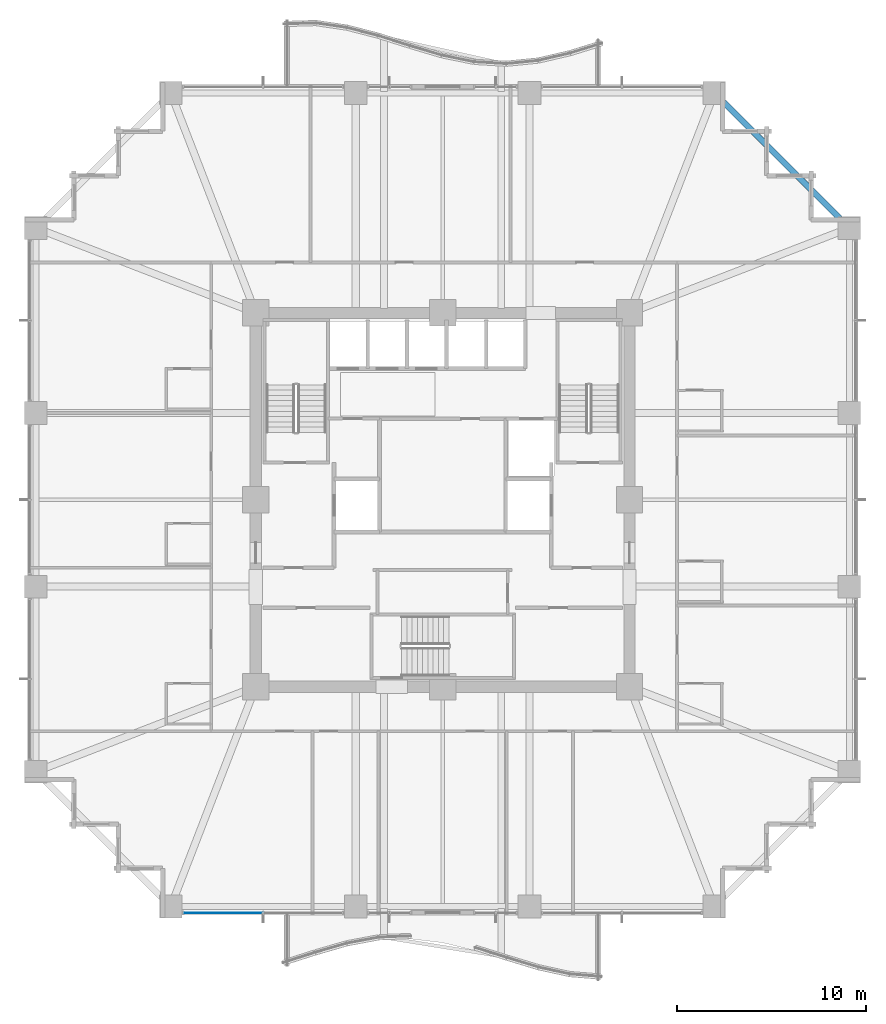
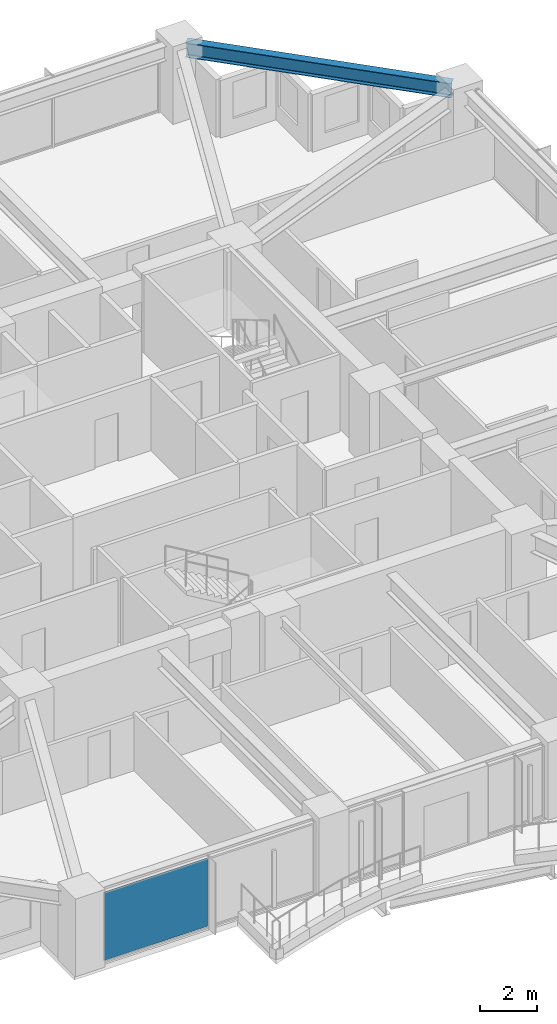
# One storey, part 26 of 38: 1 beam, 1 plate, 1 element without a shape of its own.
"""IFC4 building model written with IfcOpenShell, lengths in metres."""

from ifc_helpers import new_model, si_unit, direction, frame, origin, origin_2d, place, context, subcontext, project, spatial, rectangle, i_section, extrude, material, layer, layer_set, material_profile, profile_set, type_object, element, aggregate, save


model = new_model("IFC4")

# Units and contexts
model_context = context("Model", 3, precision=1e-05, world=origin(), true_north=direction((0.0, 1.0)))
body_context = subcontext(model_context, "Body", "Model", "MODEL_VIEW")
ifc_project = project(units=[si_unit("LENGTHUNIT", "METRE"), si_unit("AREAUNIT", "SQUARE_METRE"), si_unit("VOLUMEUNIT", "CUBIC_METRE"), si_unit("PLANEANGLEUNIT", "RADIAN"), si_unit("MASSUNIT", "GRAM", prefix="KILO")], contexts=[model_context])

# Site, building, storey
site_placement = place(None, origin())
site = spatial("IfcSite", under=ifc_project, at=site_placement, CompositionType="ELEMENT")
building_placement = place(site_placement, origin())
building = spatial("IfcBuilding", under=site, at=building_placement, Name="Kolvaren Belvedere", CompositionType="ELEMENT")
storey_placement = place(building_placement, frame((0.0, 0.0, 30.39990234375)))
storey = spatial("IfcBuildingStorey", under=building, at=storey_placement, Name="L08", CompositionType="ELEMENT", Elevation=30.39990234375)

# Beam
ifc_material_1 = material(Name="Structural steel ASTM A992 Grade 50", Category="steel")
ifc_material_profile = material_profile(ifc_material_1, i_section(OverallWidth=0.324951171875, OverallDepth=0.615966796875, WebThickness=0.013916015625, FlangeThickness=0.021484375, FilletRadius=0.02001953125, at=origin_2d()), Name="W24X117")
ifc_profile_set = profile_set([ifc_material_profile], Name="Structural steel ASTM A992 Grade 50")
beam_type = type_object("IfcBeamType", Name="BM-SPAN-W24X117", PredefinedType="SPANDREL", material=ifc_profile_set)
beam_placement = place(storey_placement, frame((21.359130859375, 14.5908203125, 2.752197265625), z_axis=(-0.707106781187, 0.707106781187, 0.0), x_axis=(-0.707106781187, -0.707106781187, 0.0)))
element("IfcBeam", 1, at=beam_placement, inside=storey, type_object=beam_type, Name="L08 Perimeter Spandrel E4-N4", PredefinedType="SPANDREL", context=body_context, shape_type="SweptSolid", body=[
    extrude(i_section(OverallWidth=0.324951171875, OverallDepth=0.615966796875, WebThickness=0.013916015625, FlangeThickness=0.021484375, FilletRadius=0.02001953125, at=origin_2d()), origin(), (0.0, 0.0, 1.0), 9.57177734375),
])

# Curtain wall, plate
ifc_material_2 = material(Name="Anodised pale-metal aluminium AA 6063-T6", Category="aluminium")
curtain_wall_type = type_object("IfcCurtainWallType", Name="CW-Z1-LOW", PredefinedType="NOTDEFINED", material=ifc_material_2)
curtain_wall_placement = place(storey_placement, origin())
curtain_wall = element("IfcCurtainWall", 2, at=curtain_wall_placement, inside=storey, type_object=curtain_wall_type, Name="L08 Unitised Curtain Wall FCW-L08-S2-B2", PredefinedType="NOTDEFINED")
ifc_material_3 = material(Name="Low-iron triple insulated glass", Category="glass")
ifc_layer = layer(ifc_material_3, 0.028076171875)
ifc_layer_set = layer_set([ifc_layer], Name="Low-iron triple insulated glass")
plate_type = type_object("IfcPlateType", Name="CW-PNL-VIS28", PredefinedType="CURTAIN_PANEL", material=ifc_layer_set)
plate_placement = place(storey_placement, frame((-11.62255859375, -21.8798828125, 0.080078125), z_axis=(0.0, 0.0, 1.0), x_axis=(-1.0, 0.0, 0.0)))
plate = element("IfcPlate", 3, at=plate_placement, type_object=plate_type, Name="FCW-L08-S2-B2 Vision Glazing Panel 2", PredefinedType="CURTAIN_PANEL", context=body_context, shape_type="SweptSolid", body=[
    extrude(rectangle(XDim=4.1650390625, YDim=0.028076171875, at=origin_2d()), origin(), (0.0, 0.0, 1.0), 2.89990234375),
])
aggregate(curtain_wall, [plate])

save(model, "model.ifc")
